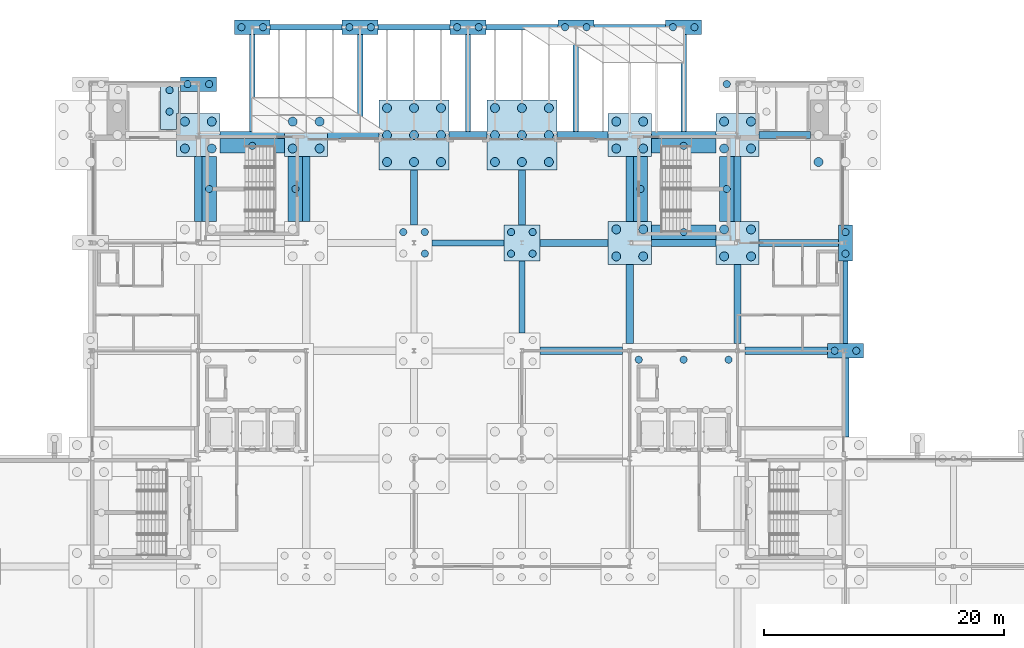
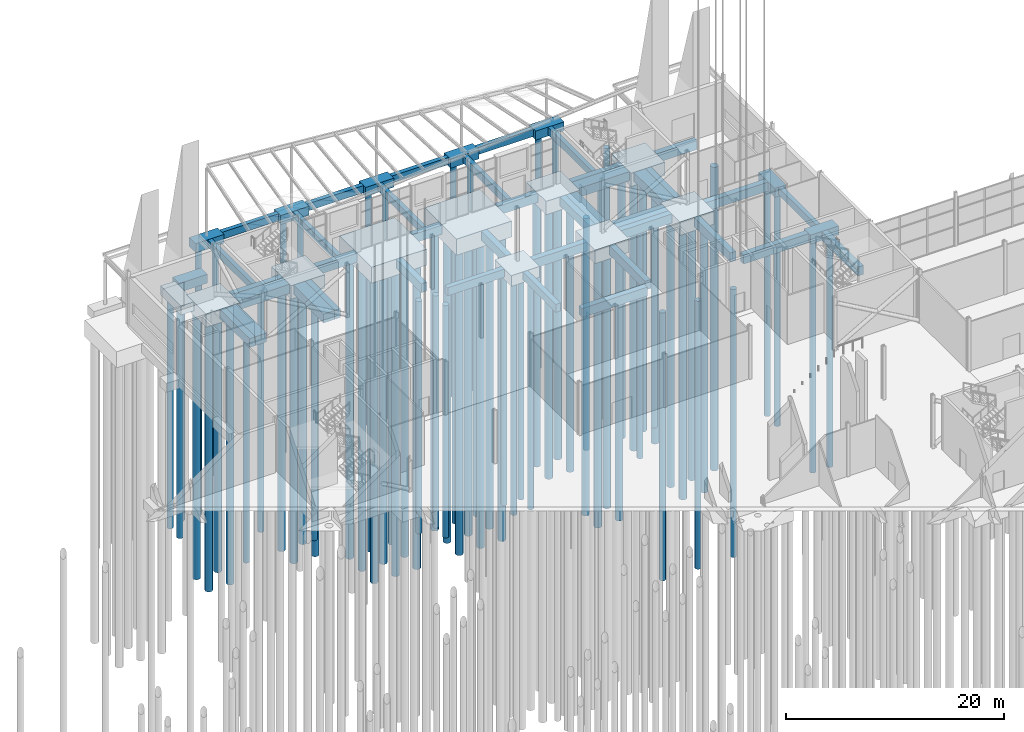
# One storey, part 8 of 139: 79 piles, 57 footings.
"""IFC4 building model written with IfcOpenShell, lengths in metres."""

from ifc_helpers import new_model, si_unit, direction, frame, origin, origin_2d, place, context, subcontext, project, spatial, polyline, rectangle, circle, outline, extrude, material, material_profile, profile_set, type_object, element, save


model = new_model("IFC4")

# Units and contexts
model_context = context("Model", 3, precision=1e-05, world=origin(), true_north=direction((0.0, 1.0)))
body_context = subcontext(model_context, "Body", "Model", "MODEL_VIEW")
ifc_project = project(units=[si_unit("LENGTHUNIT", "METRE"), si_unit("AREAUNIT", "SQUARE_METRE"), si_unit("VOLUMEUNIT", "CUBIC_METRE"), si_unit("PLANEANGLEUNIT", "RADIAN"), si_unit("MASSUNIT", "GRAM", prefix="KILO")], contexts=[model_context])

# Site, building, storey
site_placement = place(None, origin())
site = spatial("IfcSite", under=ifc_project, at=site_placement, CompositionType="ELEMENT")
building_placement = place(site_placement, origin())
building = spatial("IfcBuilding", under=site, at=building_placement, Name="Shorebreak Coast Museum", CompositionType="ELEMENT")
storey_placement = place(building_placement, origin())
storey = spatial("IfcBuildingStorey", under=building, at=storey_placement, Name="L00", CompositionType="ELEMENT", Elevation=0.0)

# Footings
ifc_material_1 = material(Name="Concrete N50 (50 MPa)", Category="concrete")
footing_type_1 = type_object("IfcFootingType", Name="Footing ground beam 450x800", PredefinedType="FOOTING_BEAM", material=ifc_material_1)
footing_1_placement = place(storey_placement, frame((117.0, 103.050048828125, -1.10009765625), z_axis=(0.0, 0.0, 1.0), x_axis=(1.0, 0.0, 0.0)))
element("IfcFooting", 1, at=footing_1_placement, inside=storey, type_object=footing_type_1, Name="Ground beam 14M to 14N", PredefinedType="FOOTING_BEAM", context=body_context, shape_type="SweptSolid", body=[
    extrude(rectangle(XDim=0.449951171875, YDim=6.89990234375, at=origin_2d()), origin(), (0.0, 0.0, 1.0), 0.800048828125),
])
for number, where, z_axis, x_axis, name in (
    (2, (72.0, 126.0, -1.10009765625), (0.0, 0.0, 1.0), (1.0, 0.0, 0.0), "Ground beam can to ENT N"),
    (3, (81.0, 126.0, -1.10009765625), (0.0, 0.0, 1.0), (1.0, 0.0, 0.0), "Ground beam can to ENT N"),
    (4, (90.0, 126.0, -1.10009765625), (0.0, 0.0, 1.0), (1.0, 0.0, 0.0), "Ground beam can to ENT N"),
    (5, (99.0, 126.0, -1.10009765625), (0.0, 0.0, 1.0), (1.0, 0.0, 0.0), "Ground beam can to ENT N"),
):
    element("IfcFooting", number, at=place(storey_placement, frame(where, z_axis=z_axis, x_axis=x_axis)), inside=storey, type_object=footing_type_1, Name=name, PredefinedType="FOOTING_BEAM", context=body_context, shape_type="SweptSolid", body=[
        extrude(rectangle(XDim=6.0, YDim=0.449951171875, at=origin_2d()), origin(), (0.0, 0.0, 1.0), 0.800048828125),
    ])
for number, where, z_axis, x_axis, name in (
    (6, (67.5, 121.35009765625, -1.10009765625), (0.0, 0.0, 1.0), (1.0, 0.0, 0.0), "Ground beam can to tie ENT N"),
    (7, (76.5, 121.35009765625, -1.10009765625), (0.0, 0.0, 1.0), (1.0, 0.0, 0.0), "Ground beam can to tie ENT N"),
    (8, (85.5, 121.35009765625, -1.10009765625), (0.0, 0.0, 1.0), (1.0, 0.0, 0.0), "Ground beam can to tie ENT N"),
    (9, (94.5, 121.35009765625, -1.10009765625), (0.0, 0.0, 1.0), (1.0, 0.0, 0.0), "Ground beam can to tie ENT N"),
    (10, (103.5, 121.35009765625, -1.10009765625), (0.0, 0.0, 1.0), (1.0, 0.0, 0.0), "Ground beam can to tie ENT N"),
):
    element("IfcFooting", number, at=place(storey_placement, frame(where, z_axis=z_axis, x_axis=x_axis)), inside=storey, type_object=footing_type_1, Name=name, PredefinedType="FOOTING_BEAM", context=body_context, shape_type="SweptSolid", body=[
        extrude(rectangle(XDim=0.449951171875, YDim=8.10009765625, at=origin_2d()), origin(), (0.0, 0.0, 1.0), 0.800048828125),
    ])
ifc_material_2 = material(Name="Concrete N50 (50 MPa)", Category="concrete")
footing_type_2 = type_object("IfcFootingType", Name="Footing ground beam 500x900", PredefinedType="FOOTING_BEAM", material=ifc_material_2)
footing_2_placement = place(storey_placement, frame((90.0, 103.5, -1.199951171875), z_axis=(0.0, 0.0, 1.0), x_axis=(1.0, 0.0, 0.0)))
element("IfcFooting", 11, at=footing_2_placement, inside=storey, type_object=footing_type_2, Name="Ground beam 11M to 11N", PredefinedType="FOOTING_BEAM", context=body_context, shape_type="SweptSolid", body=[
    extrude(rectangle(XDim=0.5, YDim=6.0, at=origin_2d()), origin(), (0.0, 0.0, 1.0), 0.89990234375),
])
footing_3_placement = place(storey_placement, frame((85.5, 108.0, -1.199951171875), z_axis=(0.0, 0.0, 1.0), x_axis=(1.0, 0.0, 0.0)))
element("IfcFooting", 12, at=footing_3_placement, inside=storey, type_object=footing_type_2, Name="Ground beam 10N to 11N", PredefinedType="FOOTING_BEAM", context=body_context, shape_type="SweptSolid", body=[
    extrude(rectangle(XDim=6.0, YDim=0.5, at=origin_2d()), origin(), (0.0, 0.0, 1.0), 0.89990234375),
])
ifc_material_3 = material(Name="Concrete N50 (50 MPa)", Category="concrete")
footing_type_3 = type_object("IfcFootingType", Name="Footing ground beam 600x1000", PredefinedType="FOOTING_BEAM", material=ifc_material_3)
footing_4_placement = place(storey_placement, frame((117.0, 95.10009765625, -1.300048828125), z_axis=(0.0, 0.0, 1.0), x_axis=(1.0, 0.0, 0.0)))
element("IfcFooting", 13, at=footing_4_placement, inside=storey, type_object=footing_type_3, Name="Ground beam 14L to 14M", PredefinedType="FOOTING_BEAM", context=body_context, shape_type="SweptSolid", body=[
    extrude(rectangle(XDim=0.60009765625, YDim=6.60009765625, at=origin_2d()), origin(), (0.0, 0.0, 1.0), 1.0),
])
footing_5_placement = place(storey_placement, frame((94.949951171875, 99.0, -1.300048828125), z_axis=(0.0, 0.0, 1.0), x_axis=(1.0, 0.0, 0.0)))
element("IfcFooting", 14, at=footing_5_placement, inside=storey, type_object=footing_type_3, Name="Ground beam 11M to 12M", PredefinedType="FOOTING_BEAM", context=body_context, shape_type="SweptSolid", body=[
    extrude(rectangle(XDim=6.89990234375, YDim=0.60009765625, at=origin_2d()), origin(), (0.0, 0.0, 1.0), 1.0),
])
footing_6_placement = place(storey_placement, frame((99.0, 102.89990234375, -1.300048828125), z_axis=(0.0, 0.0, 1.0), x_axis=(1.0, 0.0, 0.0)))
element("IfcFooting", 15, at=footing_6_placement, inside=storey, type_object=footing_type_3, Name="Ground beam 12M to 12N", PredefinedType="FOOTING_BEAM", context=body_context, shape_type="SweptSolid", body=[
    extrude(rectangle(XDim=0.60009765625, YDim=6.60009765625, at=origin_2d()), origin(), (0.0, 0.0, 1.0), 1.0),
])
footing_7_placement = place(storey_placement, frame((112.050048828125, 99.0, -1.300048828125), z_axis=(0.0, 0.0, 1.0), x_axis=(1.0, 0.0, 0.0)))
element("IfcFooting", 16, at=footing_7_placement, inside=storey, type_object=footing_type_3, Name="Ground beam 13M to 14M", PredefinedType="FOOTING_BEAM", context=body_context, shape_type="SweptSolid", body=[
    extrude(rectangle(XDim=6.89990234375, YDim=0.60009765625, at=origin_2d()), origin(), (0.0, 0.0, 1.0), 1.0),
])
footing_8_placement = place(storey_placement, frame((108.0, 102.89990234375, -1.300048828125), z_axis=(0.0, 0.0, 1.0), x_axis=(1.0, 0.0, 0.0)))
element("IfcFooting", 17, at=footing_8_placement, inside=storey, type_object=footing_type_3, Name="Ground beam 13M to 13N", PredefinedType="FOOTING_BEAM", context=body_context, shape_type="SweptSolid", body=[
    extrude(rectangle(XDim=0.60009765625, YDim=6.60009765625, at=origin_2d()), origin(), (0.0, 0.0, 1.0), 1.0),
])
for number, where, z_axis, x_axis, name in (
    (18, (63.0, 112.5, -1.300048828125), (0.0, 0.0, 1.0), (1.0, 0.0, 0.0), "Ground beam 8N to 8P"),
    (19, (72.0, 112.5, -1.300048828125), (0.0, 0.0, 1.0), (1.0, 0.0, 0.0), "Ground beam 9N to 9P"),
):
    element("IfcFooting", number, at=place(storey_placement, frame(where, z_axis=z_axis, x_axis=x_axis)), inside=storey, type_object=footing_type_3, Name=name, PredefinedType="FOOTING_BEAM", context=body_context, shape_type="SweptSolid", body=[
        extrude(rectangle(XDim=0.60009765625, YDim=5.39990234375, at=origin_2d()), origin(), (0.0, 0.0, 1.0), 1.0),
    ])
footing_9_placement = place(storey_placement, frame((81.0, 111.78759765625, -1.300048828125), z_axis=(0.0, 0.0, 1.0), x_axis=(1.0, 0.0, 0.0)))
element("IfcFooting", 20, at=footing_9_placement, inside=storey, type_object=footing_type_3, Name="Ground beam 10N to 10P", PredefinedType="FOOTING_BEAM", context=body_context, shape_type="SweptSolid", body=[
    extrude(rectangle(XDim=0.60009765625, YDim=4.574951171875, at=origin_2d()), origin(), (0.0, 0.0, 1.0), 1.0),
])
footing_10_placement = place(storey_placement, frame((94.35009765625, 108.0, -1.300048828125), z_axis=(0.0, 0.0, 1.0), x_axis=(1.0, 0.0, 0.0)))
element("IfcFooting", 21, at=footing_10_placement, inside=storey, type_object=footing_type_3, Name="Ground beam 11N to 12N", PredefinedType="FOOTING_BEAM", context=body_context, shape_type="SweptSolid", body=[
    extrude(rectangle(XDim=5.699951171875, YDim=0.60009765625, at=origin_2d()), origin(), (0.0, 0.0, 1.0), 1.0),
])
footing_11_placement = place(storey_placement, frame((90.0, 111.78759765625, -1.300048828125), z_axis=(0.0, 0.0, 1.0), x_axis=(1.0, 0.0, 0.0)))
element("IfcFooting", 22, at=footing_11_placement, inside=storey, type_object=footing_type_3, Name="Ground beam 11N to 11P", PredefinedType="FOOTING_BEAM", context=body_context, shape_type="SweptSolid", body=[
    extrude(rectangle(XDim=0.60009765625, YDim=4.574951171875, at=origin_2d()), origin(), (0.0, 0.0, 1.0), 1.0),
])
footing_12_placement = place(storey_placement, frame((103.5, 108.0, -1.300048828125), z_axis=(0.0, 0.0, 1.0), x_axis=(1.0, 0.0, 0.0)))
element("IfcFooting", 23, at=footing_12_placement, inside=storey, type_object=footing_type_3, Name="Ground beam 12N to 13N", PredefinedType="FOOTING_BEAM", context=body_context, shape_type="SweptSolid", body=[
    extrude(rectangle(XDim=5.39990234375, YDim=0.60009765625, at=origin_2d()), origin(), (0.0, 0.0, 1.0), 1.0),
])
footing_13_placement = place(storey_placement, frame((99.0, 112.5, -1.300048828125), z_axis=(0.0, 0.0, 1.0), x_axis=(1.0, 0.0, 0.0)))
element("IfcFooting", 24, at=footing_13_placement, inside=storey, type_object=footing_type_3, Name="Ground beam 12N to 12P", PredefinedType="FOOTING_BEAM", context=body_context, shape_type="SweptSolid", body=[
    extrude(rectangle(XDim=0.60009765625, YDim=5.39990234375, at=origin_2d()), origin(), (0.0, 0.0, 1.0), 1.0),
])
footing_14_placement = place(storey_placement, frame((113.10009765625, 108.0, -1.300048828125), z_axis=(0.0, 0.0, 1.0), x_axis=(1.0, 0.0, 0.0)))
element("IfcFooting", 25, at=footing_14_placement, inside=storey, type_object=footing_type_3, Name="Ground beam 13N to 14N", PredefinedType="FOOTING_BEAM", context=body_context, shape_type="SweptSolid", body=[
    extrude(rectangle(XDim=6.60009765625, YDim=0.60009765625, at=origin_2d()), origin(), (0.0, 0.0, 1.0), 1.0),
])
footing_15_placement = place(storey_placement, frame((108.0, 112.5, -1.300048828125), z_axis=(0.0, 0.0, 1.0), x_axis=(1.0, 0.0, 0.0)))
element("IfcFooting", 26, at=footing_15_placement, inside=storey, type_object=footing_type_3, Name="Ground beam 13N to 13P", PredefinedType="FOOTING_BEAM", context=body_context, shape_type="SweptSolid", body=[
    extrude(rectangle(XDim=0.60009765625, YDim=5.39990234375, at=origin_2d()), origin(), (0.0, 0.0, 1.0), 1.0),
])
footing_16_placement = place(storey_placement, frame((67.5, 117.0, -1.300048828125), z_axis=(0.0, 0.0, 1.0), x_axis=(1.0, 0.0, 0.0)))
element("IfcFooting", 27, at=footing_16_placement, inside=storey, type_object=footing_type_3, Name="Ground beam 8P to 9P", PredefinedType="FOOTING_BEAM", context=body_context, shape_type="SweptSolid", body=[
    extrude(rectangle(XDim=5.39990234375, YDim=0.60009765625, at=origin_2d()), origin(), (0.0, 0.0, 1.0), 1.0),
])
footing_17_placement = place(storey_placement, frame((75.9375, 117.0, -1.300048828125), z_axis=(0.0, 0.0, 1.0), x_axis=(1.0, 0.0, 0.0)))
element("IfcFooting", 28, at=footing_17_placement, inside=storey, type_object=footing_type_3, Name="Ground beam 9P to 10P", PredefinedType="FOOTING_BEAM", context=body_context, shape_type="SweptSolid", body=[
    extrude(rectangle(XDim=4.27490234375, YDim=0.60009765625, at=origin_2d()), origin(), (0.0, 0.0, 1.0), 1.0),
])
footing_18_placement = place(storey_placement, frame((85.5, 117.0, -1.300048828125), z_axis=(0.0, 0.0, 1.0), x_axis=(1.0, 0.0, 0.0)))
element("IfcFooting", 29, at=footing_18_placement, inside=storey, type_object=footing_type_3, Name="Ground beam 10P to 11P", PredefinedType="FOOTING_BEAM", context=body_context, shape_type="SweptSolid", body=[
    extrude(rectangle(XDim=3.14990234375, YDim=0.60009765625, at=origin_2d()), origin(), (0.0, 0.0, 1.0), 1.0),
])
footing_19_placement = place(storey_placement, frame((95.0625, 117.0, -1.300048828125), z_axis=(0.0, 0.0, 1.0), x_axis=(1.0, 0.0, 0.0)))
element("IfcFooting", 30, at=footing_19_placement, inside=storey, type_object=footing_type_3, Name="Ground beam 11P to 12P", PredefinedType="FOOTING_BEAM", context=body_context, shape_type="SweptSolid", body=[
    extrude(rectangle(XDim=4.27490234375, YDim=0.60009765625, at=origin_2d()), origin(), (0.0, 0.0, 1.0), 1.0),
])
footing_20_placement = place(storey_placement, frame((103.5, 117.0, -1.300048828125), z_axis=(0.0, 0.0, 1.0), x_axis=(1.0, 0.0, 0.0)))
element("IfcFooting", 31, at=footing_20_placement, inside=storey, type_object=footing_type_3, Name="Ground beam 12P to 13P", PredefinedType="FOOTING_BEAM", context=body_context, shape_type="SweptSolid", body=[
    extrude(rectangle(XDim=5.39990234375, YDim=0.60009765625, at=origin_2d()), origin(), (0.0, 0.0, 1.0), 1.0),
])
footing_21_placement = place(storey_placement, frame((111.9375, 117.0, -1.300048828125), z_axis=(0.0, 0.0, 1.0), x_axis=(1.0, 0.0, 0.0)))
element("IfcFooting", 32, at=footing_21_placement, inside=storey, type_object=footing_type_3, Name="Ground beam 13P to 14P", PredefinedType="FOOTING_BEAM", context=body_context, shape_type="SweptSolid", body=[
    extrude(rectangle(XDim=4.27490234375, YDim=0.60009765625, at=origin_2d()), origin(), (0.0, 0.0, 1.0), 1.0),
])
ifc_material_4 = material(Name="Concrete N50 (50 MPa)", Category="concrete")
footing_type_4 = type_object("IfcFootingType", Name="Footing pad footing 3000x1200x1000", PredefinedType="PAD_FOOTING", material=ifc_material_4)
for number, where, z_axis, x_axis, name in (
    (33, (67.5, 126.0, -1.300048828125), (0.0, 0.0, 1.0), (1.0, 0.0, 0.0), "Canopy post pad footing ENT N 67p5 126"),
    (34, (76.5, 126.0, -1.300048828125), (0.0, 0.0, 1.0), (1.0, 0.0, 0.0), "Canopy post pad footing ENT N 76p5 126"),
    (35, (85.5, 126.0, -1.300048828125), (0.0, 0.0, 1.0), (1.0, 0.0, 0.0), "Canopy post pad footing ENT N 85p5 126"),
    (36, (94.5, 126.0, -1.300048828125), (0.0, 0.0, 1.0), (1.0, 0.0, 0.0), "Canopy post pad footing ENT N 94p5 126"),
    (37, (103.5, 126.0, -1.300048828125), (0.0, 0.0, 1.0), (1.0, 0.0, 0.0), "Canopy post pad footing ENT N 103p5 126"),
):
    element("IfcFooting", number, at=place(storey_placement, frame(where, z_axis=z_axis, x_axis=x_axis)), inside=storey, type_object=footing_type_4, Name=name, PredefinedType="PAD_FOOTING", context=body_context, shape_type="SweptSolid", body=[
        extrude(rectangle(XDim=3.0, YDim=1.199951171875, at=origin_2d()), origin(), (0.0, 0.0, 1.0), 1.0),
    ])
ifc_material_5 = material(Name="Concrete N50 (50 MPa)", Category="concrete")
footing_type_5 = type_object("IfcFootingType", Name="Footing pile cap 1200x3000x1000", PredefinedType="PILE_CAP", material=ifc_material_5)
footing_22_placement = place(storey_placement, frame((117.0, 108.0, -1.300048828125), z_axis=(0.0, 0.0, 1.0), x_axis=(1.0, 0.0, 0.0)))
element("IfcFooting", 38, at=footing_22_placement, inside=storey, type_object=footing_type_5, Name="Pile cap 14N", PredefinedType="PILE_CAP", context=body_context, shape_type="SweptSolid", body=[
    extrude(rectangle(XDim=1.199951171875, YDim=3.0, at=origin_2d()), origin(), (0.0, 0.0, 1.0), 1.0),
])
ifc_material_6 = material(Name="Concrete N50 (50 MPa)", Category="concrete")
footing_type_6 = type_object("IfcFootingType", Name="Footing pile cap 3000x1200x1000", PredefinedType="PILE_CAP", material=ifc_material_6)
for number, where, z_axis, x_axis, name in (
    (39, (117.0, 99.0, -1.300048828125), (0.0, 0.0, 1.0), (1.0, 0.0, 0.0), "Pile cap 14M"),
    (40, (63.0, 121.25, -1.300048828125), (0.0, 0.0, 1.0), (1.0, 0.0, 0.0), "Pile cap arcade north 2"),
):
    element("IfcFooting", number, at=place(storey_placement, frame(where, z_axis=z_axis, x_axis=x_axis)), inside=storey, type_object=footing_type_6, Name=name, PredefinedType="PILE_CAP", context=body_context, shape_type="SweptSolid", body=[
        extrude(rectangle(XDim=3.0, YDim=1.199951171875, at=origin_2d()), origin(), (0.0, 0.0, 1.0), 1.0),
    ])
ifc_material_7 = material(Name="Concrete N50 (50 MPa)", Category="concrete")
footing_type_7 = type_object("IfcFootingType", Name="Footing pile cap 3000x3000x1200", PredefinedType="PILE_CAP", material=ifc_material_7)
footing_23_placement = place(storey_placement, frame((90.0, 108.0, -1.5), z_axis=(0.0, 0.0, 1.0), x_axis=(1.0, 0.0, 0.0)))
element("IfcFooting", 41, at=footing_23_placement, inside=storey, type_object=footing_type_7, Name="Pile cap 11N", PredefinedType="PILE_CAP", context=body_context, shape_type="SweptSolid", body=[
    extrude(rectangle(XDim=3.0, YDim=3.0, at=origin_2d()), origin(), (0.0, 0.0, 1.0), 1.199951171875),
])
ifc_material_8 = material(Name="Concrete N50 (50 MPa)", Category="concrete")
footing_type_8 = type_object("IfcFootingType", Name="Footing pile cap 3600x3600x1500", PredefinedType="PILE_CAP", material=ifc_material_8)
for number, where, z_axis, x_axis, name in (
    (42, (99.0, 108.0, -1.800048828125), (0.0, 0.0, 1.0), (1.0, 0.0, 0.0), "Pile cap 12N"),
    (43, (108.0, 108.0, -1.800048828125), (0.0, 0.0, 1.0), (1.0, 0.0, 0.0), "Pile cap 13N"),
    (44, (63.0, 117.0, -1.800048828125), (0.0, 0.0, 1.0), (1.0, 0.0, 0.0), "Pile cap 8P"),
    (45, (72.0, 117.0, -1.800048828125), (0.0, 0.0, 1.0), (1.0, 0.0, 0.0), "Pile cap 9P"),
    (46, (99.0, 117.0, -1.800048828125), (0.0, 0.0, 1.0), (1.0, 0.0, 0.0), "Pile cap 12P"),
    (47, (108.0, 117.0, -1.800048828125), (0.0, 0.0, 1.0), (1.0, 0.0, 0.0), "Pile cap 13P"),
):
    element("IfcFooting", number, at=place(storey_placement, frame(where, z_axis=z_axis, x_axis=x_axis)), inside=storey, type_object=footing_type_8, Name=name, PredefinedType="PILE_CAP", context=body_context, shape_type="SweptSolid", body=[
        extrude(rectangle(XDim=3.60009765625, YDim=3.60009765625, at=origin_2d()), origin(), (0.0, 0.0, 1.0), 1.5),
    ])
ifc_material_9 = material(Name="Concrete N50 (50 MPa)", Category="concrete")
footing_type_9 = type_object("IfcFootingType", Name="Footing pile cap 5850x5850x1800", PredefinedType="PILE_CAP", material=ifc_material_9)
for number, where, z_axis, x_axis, name in (
    (48, (81.0, 117.0, -2.10009765625), (0.0, 0.0, 1.0), (1.0, 0.0, 0.0), "Pile cap 10P"),
    (49, (90.0, 117.0, -2.10009765625), (0.0, 0.0, 1.0), (1.0, 0.0, 0.0), "Pile cap 11P"),
):
    element("IfcFooting", number, at=place(storey_placement, frame(where, z_axis=z_axis, x_axis=x_axis)), inside=storey, type_object=footing_type_9, Name=name, PredefinedType="PILE_CAP", context=body_context, shape_type="SweptSolid", body=[
        extrude(rectangle(XDim=5.85009765625, YDim=5.85009765625, at=origin_2d()), origin(), (0.0, 0.0, 1.0), 1.800048828125),
    ])
ifc_material_10 = material(Name="Concrete N50 (50 MPa)", Category="concrete")
footing_type_10 = type_object("IfcFootingType", Name="Footing strip footing 1200x5400x1000", PredefinedType="STRIP_FOOTING", material=ifc_material_10)
for number, where, z_axis, x_axis, name in (
    (50, (63.89990234375, 112.5, -1.300048828125), (0.0, 0.0, 1.0), (1.0, 0.0, 0.0), "Core wall strip footing ST09 west side"),
    (51, (71.10009765625, 112.5, -1.300048828125), (0.0, 0.0, 1.0), (1.0, 0.0, 0.0), "Core wall strip footing ST09 east side"),
    (52, (99.89990234375, 112.5, -1.300048828125), (0.0, 0.0, 1.0), (1.0, 0.0, 0.0), "Core wall strip footing ST10 west side"),
    (53, (107.10009765625, 112.5, -1.300048828125), (0.0, 0.0, 1.0), (1.0, 0.0, 0.0), "Core wall strip footing ST10 east side"),
):
    element("IfcFooting", number, at=place(storey_placement, frame(where, z_axis=z_axis, x_axis=x_axis)), inside=storey, type_object=footing_type_10, Name=name, PredefinedType="STRIP_FOOTING", context=body_context, shape_type="SweptSolid", body=[
        extrude(rectangle(XDim=1.199951171875, YDim=5.39990234375, at=origin_2d()), origin(), (0.0, 0.0, 1.0), 1.0),
    ])
ifc_material_11 = material(Name="Concrete N50 (50 MPa)", Category="concrete")
footing_type_11 = type_object("IfcFootingType", Name="Footing strip footing 1500x3750x1000 notched", PredefinedType="STRIP_FOOTING", material=ifc_material_11)
footing_24_placement = place(storey_placement, frame((0.0, 0.0, -1.300048828125)))
element("IfcFooting", 54, at=footing_24_placement, inside=storey, type_object=footing_type_11, Name="Fin pad N30", PredefinedType="STRIP_FOOTING", context=body_context, shape_type="SweptSolid", body=[
    extrude(outline(polyline([(59.85009765625, 117.449951171875), (59.85009765625, 121.199951171875), (61.35009765625, 121.199951171875), (61.35009765625, 118.800048828125), (61.199951171875, 118.800048828125), (61.199951171875, 117.449951171875), (59.85009765625, 117.449951171875)])), origin(), (0.0, 0.0, 1.0), 1.0),
])
ifc_material_12 = material(Name="Concrete N50 (50 MPa)", Category="concrete")
footing_type_12 = type_object("IfcFootingType", Name="Footing strip footing 5400x1200x1000", PredefinedType="STRIP_FOOTING", material=ifc_material_12)
for number, where, z_axis, x_axis, name in (
    (55, (67.5, 116.10009765625, -1.300048828125), (0.0, 0.0, 1.0), (1.0, 0.0, 0.0), "Core wall strip footing ST09 north side"),
    (56, (103.5, 108.89990234375, -1.300048828125), (0.0, 0.0, 1.0), (1.0, 0.0, 0.0), "Core wall strip footing ST10 south side"),
    (57, (103.5, 116.10009765625, -1.300048828125), (0.0, 0.0, 1.0), (1.0, 0.0, 0.0), "Core wall strip footing ST10 north side"),
):
    element("IfcFooting", number, at=place(storey_placement, frame(where, z_axis=z_axis, x_axis=x_axis)), inside=storey, type_object=footing_type_12, Name=name, PredefinedType="STRIP_FOOTING", context=body_context, shape_type="SweptSolid", body=[
        extrude(rectangle(XDim=5.39990234375, YDim=1.199951171875, at=origin_2d()), origin(), (0.0, 0.0, 1.0), 1.0),
    ])

# Piles
ifc_material_13 = material(Name="Concrete N50 (50 MPa)", Category="concrete")
ifc_material_profile_1 = material_profile(ifc_material_13, circle(Radius=0.300048828125, at=origin_2d()), Name="Pile bored 600 length 26")
ifc_profile_set_1 = profile_set([ifc_material_profile_1], Name="Concrete N50 (50 MPa)")
pile_type_1 = type_object("IfcPileType", Name="Pile bored 600 length 26", PredefinedType="BORED", material=ifc_profile_set_1)
for number, where, z_axis, x_axis, name in (
    (58, (116.10009765625, 99.0, -1.300048828125), (0.0, 0.0, -1.0), (1.0, 0.0, 0.0), "Bored pile Pile cap 14M 1"),
    (59, (117.89990234375, 99.0, -1.300048828125), (0.0, 0.0, -1.0), (1.0, 0.0, 0.0), "Bored pile Pile cap 14M 2"),
    (60, (81.89990234375, 107.10009765625, -1.5), (0.0, 0.0, -1.0), (1.0, 0.0, 0.0), "Bored pile Pile cap 10N 2"),
    (61, (80.10009765625, 108.89990234375, -1.5), (0.0, 0.0, -1.0), (1.0, 0.0, 0.0), "Bored pile Pile cap 10N 3"),
    (62, (81.89990234375, 108.89990234375, -1.5), (0.0, 0.0, -1.0), (1.0, 0.0, 0.0), "Bored pile Pile cap 10N 4"),
    (63, (89.10009765625, 107.10009765625, -1.5), (0.0, 0.0, -1.0), (1.0, 0.0, 0.0), "Bored pile Pile cap 11N 1"),
    (64, (90.89990234375, 107.10009765625, -1.5), (0.0, 0.0, -1.0), (1.0, 0.0, 0.0), "Bored pile Pile cap 11N 2"),
    (65, (89.10009765625, 108.89990234375, -1.5), (0.0, 0.0, -1.0), (1.0, 0.0, 0.0), "Bored pile Pile cap 11N 3"),
    (66, (90.89990234375, 108.89990234375, -1.5), (0.0, 0.0, -1.0), (1.0, 0.0, 0.0), "Bored pile Pile cap 11N 4"),
    (67, (117.0, 107.10009765625, -1.300048828125), (0.0, 0.0, -1.0), (1.0, 0.0, 0.0), "Bored pile Pile cap 14N 1"),
    (68, (117.0, 108.89990234375, -1.300048828125), (0.0, 0.0, -1.0), (1.0, 0.0, 0.0), "Bored pile Pile cap 14N 2"),
    (69, (67.5, 116.10009765625, -1.300048828125), (0.0, 0.0, -1.0), (1.0, 0.0, 0.0), "Bored pile Core wall strip footing ST09 north side 1"),
    (70, (63.89990234375, 112.5, -1.300048828125), (0.0, 0.0, -1.0), (1.0, 0.0, 0.0), "Bored pile Core wall strip footing ST09 west side 1"),
    (71, (71.10009765625, 112.5, -1.300048828125), (0.0, 0.0, -1.0), (1.0, 0.0, 0.0), "Bored pile Core wall strip footing ST09 east side 1"),
    (72, (103.5, 108.89990234375, -1.300048828125), (0.0, 0.0, -1.0), (1.0, 0.0, 0.0), "Bored pile Core wall strip footing ST10 south side 1"),
    (73, (103.5, 116.10009765625, -1.300048828125), (0.0, 0.0, -1.0), (1.0, 0.0, 0.0), "Bored pile Core wall strip footing ST10 north side 1"),
    (74, (99.89990234375, 112.5, -1.300048828125), (0.0, 0.0, -1.0), (1.0, 0.0, 0.0), "Bored pile Core wall strip footing ST10 west side 1"),
    (75, (107.10009765625, 112.5, -1.300048828125), (0.0, 0.0, -1.0), (1.0, 0.0, 0.0), "Bored pile Core wall strip footing ST10 east side 1"),
    (76, (66.60009765625, 126.0, -1.300048828125), (0.0, 0.0, -1.0), (1.0, 0.0, 0.0), "Bored pile Canopy post pad footing ENT N 67p5 126 1"),
    (77, (68.39990234375, 126.0, -1.300048828125), (0.0, 0.0, -1.0), (1.0, 0.0, 0.0), "Bored pile Canopy post pad footing ENT N 67p5 126 2"),
    (78, (75.60009765625, 126.0, -1.300048828125), (0.0, 0.0, -1.0), (1.0, 0.0, 0.0), "Bored pile Canopy post pad footing ENT N 76p5 126 1"),
    (79, (77.39990234375, 126.0, -1.300048828125), (0.0, 0.0, -1.0), (1.0, 0.0, 0.0), "Bored pile Canopy post pad footing ENT N 76p5 126 2"),
    (80, (84.60009765625, 126.0, -1.300048828125), (0.0, 0.0, -1.0), (1.0, 0.0, 0.0), "Bored pile Canopy post pad footing ENT N 85p5 126 1"),
    (81, (86.39990234375, 126.0, -1.300048828125), (0.0, 0.0, -1.0), (1.0, 0.0, 0.0), "Bored pile Canopy post pad footing ENT N 85p5 126 2"),
    (82, (93.60009765625, 126.0, -1.300048828125), (0.0, 0.0, -1.0), (1.0, 0.0, 0.0), "Bored pile Canopy post pad footing ENT N 94p5 126 1"),
    (83, (95.39990234375, 126.0, -1.300048828125), (0.0, 0.0, -1.0), (1.0, 0.0, 0.0), "Bored pile Canopy post pad footing ENT N 94p5 126 2"),
    (84, (102.60009765625, 126.0, -1.300048828125), (0.0, 0.0, -1.0), (1.0, 0.0, 0.0), "Bored pile Canopy post pad footing ENT N 103p5 126 1"),
    (85, (104.39990234375, 126.0, -1.300048828125), (0.0, 0.0, -1.0), (1.0, 0.0, 0.0), "Bored pile Canopy post pad footing ENT N 103p5 126 2"),
    (86, (60.60009765625, 120.75, -1.300048828125), (0.0, 0.0, -1.0), (1.0, 0.0, 0.0), "Bored pile Fin pad N30 1"),
    (87, (60.60009765625, 118.949951171875, -1.300048828125), (0.0, 0.0, -1.0), (1.0, 0.0, 0.0), "Bored pile Fin pad N30 2"),
    (88, (62.10009765625, 121.25, -1.300048828125), (0.0, 0.0, -1.0), (1.0, 0.0, 0.0), "Bored pile arcade north 2 1"),
    (89, (63.89990234375, 121.25, -1.300048828125), (0.0, 0.0, -1.0), (1.0, 0.0, 0.0), "Bored pile arcade north 2 2"),
    (90, (107.10009765625, 121.25, -1.300048828125), (0.0, 0.0, -1.0), (1.0, 0.0, 0.0), "Bored pile arcade north 3 1"),
):
    element("IfcPile", number, at=place(storey_placement, frame(where, z_axis=z_axis, x_axis=x_axis)), inside=storey, type_object=pile_type_1, Name=name, PredefinedType="BORED", context=body_context, shape_type="SweptSolid", body=[
        extrude(circle(Radius=0.300048828125, at=origin_2d()), origin(), (0.0, 0.0, 1.0), 26.0),
    ])
ifc_material_14 = material(Name="Concrete N50 (50 MPa)", Category="concrete")
ifc_material_profile_2 = material_profile(ifc_material_14, circle(Radius=0.300048828125, at=origin_2d()), Name="Pile bored 600 length 30")
ifc_profile_set_2 = profile_set([ifc_material_profile_2], Name="Concrete N50 (50 MPa)")
pile_type_2 = type_object("IfcPileType", Name="Pile bored 600 length 30", PredefinedType="BORED", material=ifc_profile_set_2)
for number, where, z_axis, x_axis, name in (
    (91, (99.75, 98.25, -3.199951171875), (0.0, 0.0, -1.0), (1.0, 0.0, 0.0), "Bored pile Lift shaft raft LBE 11"),
    (92, (103.5, 98.25, -3.199951171875), (0.0, 0.0, -1.0), (1.0, 0.0, 0.0), "Bored pile Lift shaft raft LBE 12"),
    (93, (107.25, 98.25, -3.199951171875), (0.0, 0.0, -1.0), (1.0, 0.0, 0.0), "Bored pile Lift shaft raft LBE 13"),
):
    element("IfcPile", number, at=place(storey_placement, frame(where, z_axis=z_axis, x_axis=x_axis)), inside=storey, type_object=pile_type_2, Name=name, PredefinedType="BORED", context=body_context, shape_type="SweptSolid", body=[
        extrude(circle(Radius=0.300048828125, at=origin_2d()), origin(), (0.0, 0.0, 1.0), 30.0),
    ])
ifc_material_15 = material(Name="Concrete N50 (50 MPa)", Category="concrete")
ifc_material_profile_3 = material_profile(ifc_material_15, circle(Radius=0.375, at=origin_2d()), Name="Pile bored 750 length 30")
ifc_profile_set_3 = profile_set([ifc_material_profile_3], Name="Concrete N50 (50 MPa)")
pile_type_3 = type_object("IfcPileType", Name="Pile bored 750 length 30", PredefinedType="BORED", material=ifc_profile_set_3)
for number, where, z_axis, x_axis, name in (
    (94, (97.875, 106.875, -1.800048828125), (0.0, 0.0, -1.0), (1.0, 0.0, 0.0), "Bored pile Pile cap 12N 1"),
    (95, (100.125, 106.875, -1.800048828125), (0.0, 0.0, -1.0), (1.0, 0.0, 0.0), "Bored pile Pile cap 12N 2"),
    (96, (97.875, 109.125, -1.800048828125), (0.0, 0.0, -1.0), (1.0, 0.0, 0.0), "Bored pile Pile cap 12N 3"),
    (97, (100.125, 109.125, -1.800048828125), (0.0, 0.0, -1.0), (1.0, 0.0, 0.0), "Bored pile Pile cap 12N 4"),
    (98, (106.875, 106.875, -1.800048828125), (0.0, 0.0, -1.0), (1.0, 0.0, 0.0), "Bored pile Pile cap 13N 1"),
    (99, (109.125, 106.875, -1.800048828125), (0.0, 0.0, -1.0), (1.0, 0.0, 0.0), "Bored pile Pile cap 13N 2"),
    (100, (106.875, 109.125, -1.800048828125), (0.0, 0.0, -1.0), (1.0, 0.0, 0.0), "Bored pile Pile cap 13N 3"),
    (101, (109.125, 109.125, -1.800048828125), (0.0, 0.0, -1.0), (1.0, 0.0, 0.0), "Bored pile Pile cap 13N 4"),
    (102, (61.875, 115.875, -1.800048828125), (0.0, 0.0, -1.0), (1.0, 0.0, 0.0), "Bored pile Pile cap 8P 1"),
    (103, (64.125, 115.875, -1.800048828125), (0.0, 0.0, -1.0), (1.0, 0.0, 0.0), "Bored pile Pile cap 8P 2"),
    (104, (61.875, 118.125, -1.800048828125), (0.0, 0.0, -1.0), (1.0, 0.0, 0.0), "Bored pile Pile cap 8P 3"),
    (105, (64.125, 118.125, -1.800048828125), (0.0, 0.0, -1.0), (1.0, 0.0, 0.0), "Bored pile Pile cap 8P 4"),
    (106, (70.875, 115.875, -1.800048828125), (0.0, 0.0, -1.0), (1.0, 0.0, 0.0), "Bored pile Pile cap 9P 1"),
    (107, (73.125, 115.875, -1.800048828125), (0.0, 0.0, -1.0), (1.0, 0.0, 0.0), "Bored pile Pile cap 9P 2"),
    (108, (70.875, 118.125, -1.800048828125), (0.0, 0.0, -1.0), (1.0, 0.0, 0.0), "Bored pile Pile cap 9P 3"),
    (109, (73.125, 118.125, -1.800048828125), (0.0, 0.0, -1.0), (1.0, 0.0, 0.0), "Bored pile Pile cap 9P 4"),
    (110, (97.875, 115.875, -1.800048828125), (0.0, 0.0, -1.0), (1.0, 0.0, 0.0), "Bored pile Pile cap 12P 1"),
    (111, (100.125, 115.875, -1.800048828125), (0.0, 0.0, -1.0), (1.0, 0.0, 0.0), "Bored pile Pile cap 12P 2"),
    (112, (97.875, 118.125, -1.800048828125), (0.0, 0.0, -1.0), (1.0, 0.0, 0.0), "Bored pile Pile cap 12P 3"),
    (113, (100.125, 118.125, -1.800048828125), (0.0, 0.0, -1.0), (1.0, 0.0, 0.0), "Bored pile Pile cap 12P 4"),
    (114, (106.875, 115.875, -1.800048828125), (0.0, 0.0, -1.0), (1.0, 0.0, 0.0), "Bored pile Pile cap 13P 1"),
    (115, (109.125, 115.875, -1.800048828125), (0.0, 0.0, -1.0), (1.0, 0.0, 0.0), "Bored pile Pile cap 13P 2"),
    (116, (106.875, 118.125, -1.800048828125), (0.0, 0.0, -1.0), (1.0, 0.0, 0.0), "Bored pile Pile cap 13P 3"),
    (117, (109.125, 118.125, -1.800048828125), (0.0, 0.0, -1.0), (1.0, 0.0, 0.0), "Bored pile Pile cap 13P 4"),
):
    element("IfcPile", number, at=place(storey_placement, frame(where, z_axis=z_axis, x_axis=x_axis)), inside=storey, type_object=pile_type_3, Name=name, PredefinedType="BORED", context=body_context, shape_type="SweptSolid", body=[
        extrude(circle(Radius=0.375, at=origin_2d()), origin(), (0.0, 0.0, 1.0), 30.0),
    ])
ifc_material_16 = material(Name="Concrete N50 (50 MPa)", Category="concrete")
ifc_material_profile_4 = material_profile(ifc_material_16, circle(Radius=0.375, at=origin_2d()), Name="Pile bored 750 length 34")
ifc_profile_set_4 = profile_set([ifc_material_profile_4], Name="Concrete N50 (50 MPa)")
pile_type_4 = type_object("IfcPileType", Name="Pile bored 750 length 34", PredefinedType="BORED", material=ifc_profile_set_4)
for number, where, z_axis, x_axis, name in (
    (118, (78.75, 114.75, -2.10009765625), (0.0, 0.0, -1.0), (1.0, 0.0, 0.0), "Bored pile Pile cap 10P 1"),
    (119, (81.0, 114.75, -2.10009765625), (0.0, 0.0, -1.0), (1.0, 0.0, 0.0), "Bored pile Pile cap 10P 2"),
    (120, (83.25, 114.75, -2.10009765625), (0.0, 0.0, -1.0), (1.0, 0.0, 0.0), "Bored pile Pile cap 10P 3"),
    (121, (78.75, 117.0, -2.10009765625), (0.0, 0.0, -1.0), (1.0, 0.0, 0.0), "Bored pile Pile cap 10P 4"),
    (122, (81.0, 117.0, -2.10009765625), (0.0, 0.0, -1.0), (1.0, 0.0, 0.0), "Bored pile Pile cap 10P 5"),
    (123, (83.25, 117.0, -2.10009765625), (0.0, 0.0, -1.0), (1.0, 0.0, 0.0), "Bored pile Pile cap 10P 6"),
    (124, (78.75, 119.25, -2.10009765625), (0.0, 0.0, -1.0), (1.0, 0.0, 0.0), "Bored pile Pile cap 10P 7"),
    (125, (81.0, 119.25, -2.10009765625), (0.0, 0.0, -1.0), (1.0, 0.0, 0.0), "Bored pile Pile cap 10P 8"),
    (126, (83.25, 119.25, -2.10009765625), (0.0, 0.0, -1.0), (1.0, 0.0, 0.0), "Bored pile Pile cap 10P 9"),
    (127, (87.75, 114.75, -2.10009765625), (0.0, 0.0, -1.0), (1.0, 0.0, 0.0), "Bored pile Pile cap 11P 1"),
    (128, (90.0, 114.75, -2.10009765625), (0.0, 0.0, -1.0), (1.0, 0.0, 0.0), "Bored pile Pile cap 11P 2"),
    (129, (92.25, 114.75, -2.10009765625), (0.0, 0.0, -1.0), (1.0, 0.0, 0.0), "Bored pile Pile cap 11P 3"),
    (130, (87.75, 117.0, -2.10009765625), (0.0, 0.0, -1.0), (1.0, 0.0, 0.0), "Bored pile Pile cap 11P 4"),
    (131, (90.0, 117.0, -2.10009765625), (0.0, 0.0, -1.0), (1.0, 0.0, 0.0), "Bored pile Pile cap 11P 5"),
    (132, (92.25, 117.0, -2.10009765625), (0.0, 0.0, -1.0), (1.0, 0.0, 0.0), "Bored pile Pile cap 11P 6"),
    (133, (87.75, 119.25, -2.10009765625), (0.0, 0.0, -1.0), (1.0, 0.0, 0.0), "Bored pile Pile cap 11P 7"),
    (134, (90.0, 119.25, -2.10009765625), (0.0, 0.0, -1.0), (1.0, 0.0, 0.0), "Bored pile Pile cap 11P 8"),
    (135, (92.25, 119.25, -2.10009765625), (0.0, 0.0, -1.0), (1.0, 0.0, 0.0), "Bored pile Pile cap 11P 9"),
    (136, (114.75, 114.75, -2.10009765625), (0.0, 0.0, -1.0), (1.0, 0.0, 0.0), "Bored pile Pile cap 14P 1"),
):
    element("IfcPile", number, at=place(storey_placement, frame(where, z_axis=z_axis, x_axis=x_axis)), inside=storey, type_object=pile_type_4, Name=name, PredefinedType="BORED", context=body_context, shape_type="SweptSolid", body=[
        extrude(circle(Radius=0.375, at=origin_2d()), origin(), (0.0, 0.0, 1.0), 34.0),
    ])

save(model, "model.ifc")
